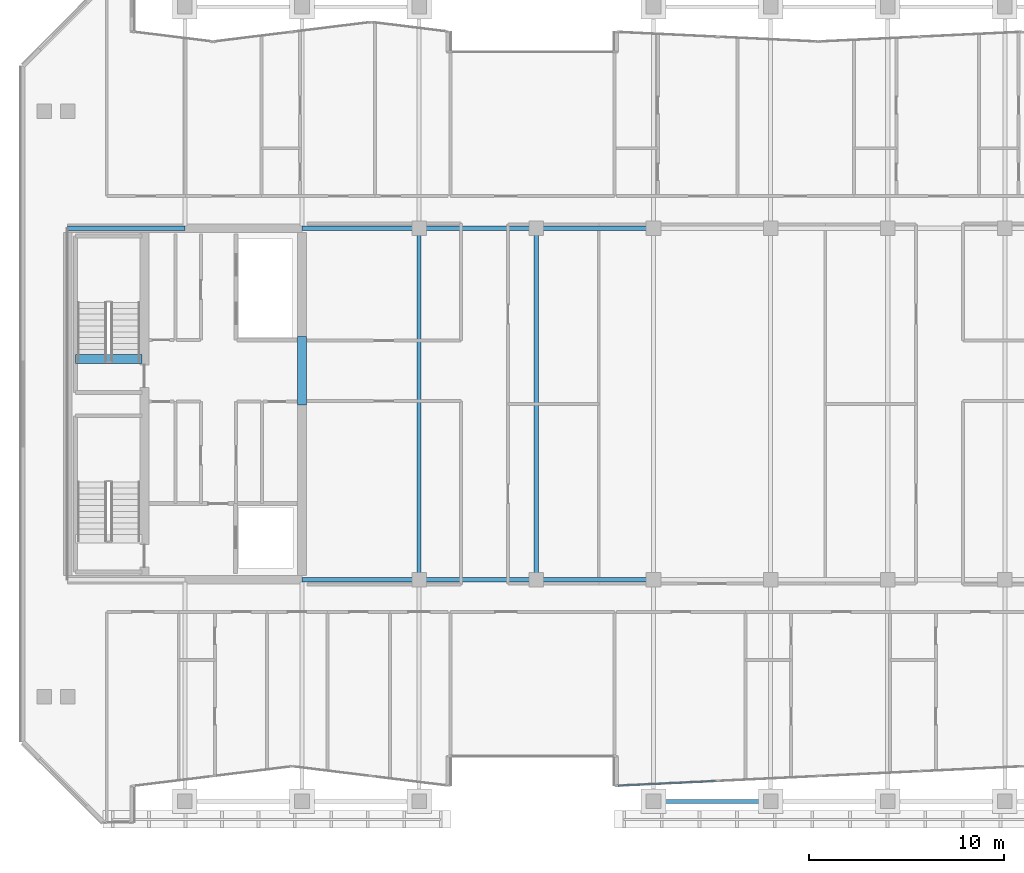
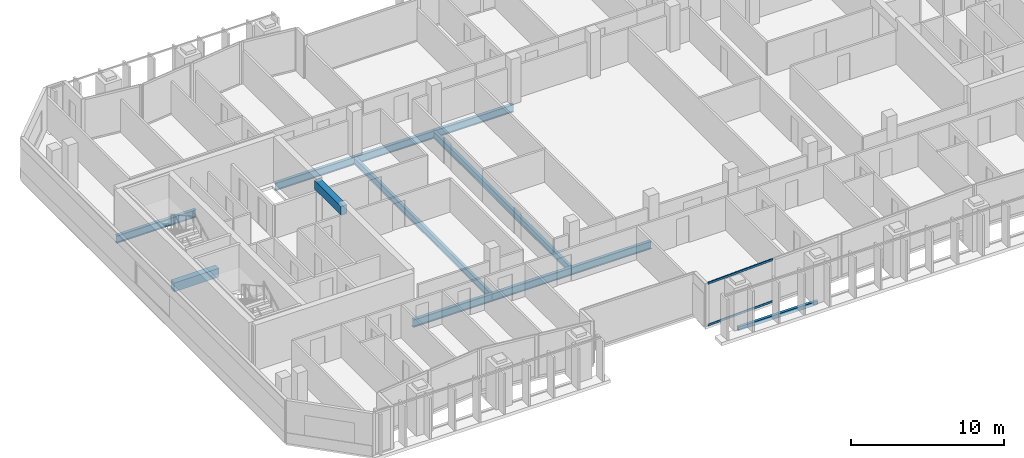
# One storey, part 5 of 32: 12 beams, 2 members, 1 element without a shape of its own.
"""IFC4 building model written with IfcOpenShell, lengths in metres."""

import ifcopenshell
import ifcopenshell.guid

model = None  # the IFC model being written
_history = None  # IfcOwnerHistory: only IFC2X3 demands one
_inside = {}  # id of a spatial element -> (the spatial element, [elements in it])
_under = {}  # id of a project, library or spatial element -> (it, [spatial elements below it])
_declared = {}  # id of a project -> (the project, [libraries it declares])
_typed = {}  # id of a type object -> (the type object, [elements of that type])
_made_of = {}  # id of a material, layer set ... -> (it, [elements and type objects made of it])


def new_model(schema):
    """Start an empty IFC model of exactly this schema.

    Asked for "IFC4X3", IfcOpenShell would pick the latest addendum, in which some entities
    have other attributes; the version numbers below select the first issue.
    IFC2X3 requires an IfcOwnerHistory on every rooted entity: one is made here for all.
    """
    global model, _history
    if schema == "IFC4X3":
        model = ifcopenshell.file(schema_version=(4, 3, 0, 0))
    else:
        model = ifcopenshell.file(schema=schema)
    _inside.clear()
    _under.clear()
    _declared.clear()
    _typed.clear()
    _made_of.clear()
    _history = None
    if model.schema == "IFC2X3":
        org = make("IfcOrganization", Name="unknown")
        user = make(
            "IfcPersonAndOrganization",
            ThePerson=make("IfcPerson", FamilyName="unknown"),
            TheOrganization=org,
        )
        app = make(
            "IfcApplication",
            ApplicationDeveloper=org,
            Version="unknown",
            ApplicationFullName="unknown",
            ApplicationIdentifier="unknown",
        )
        _history = make(
            "IfcOwnerHistory",
            OwningUser=user,
            OwningApplication=app,
            ChangeAction="ADDED",
            CreationDate=0,
        )
    return model


def make(cls, **values):
    """One entity of the class cls with the attributes given. An attribute that is None is left unset."""
    return model.create_entity(
        cls, **{name: value for name, value in values.items() if value is not None}
    )


def rooted(cls, **values):
    """An entity with a GlobalId (a new one), such as an element, a storey or a relation."""
    return make(cls, GlobalId=ifcopenshell.guid.new(), OwnerHistory=_history, **values)


def si_unit(unit_type, name, prefix=None):
    """IfcSIUnit, for example si_unit("LENGTHUNIT", "METRE", prefix="MILLI")."""
    return make("IfcSIUnit", UnitType=unit_type, Prefix=prefix, Name=name)


def assignment(units):
    """IfcUnitAssignment: the units of a project."""
    return None if units is None else make("IfcUnitAssignment", Units=units)


def point(xyz):
    """IfcCartesianPoint."""
    return None if xyz is None else make("IfcCartesianPoint", Coordinates=xyz)


def direction(xyz):
    """IfcDirection."""
    return None if xyz is None else make("IfcDirection", DirectionRatios=xyz)


def frame(location, z_axis=None, x_axis=None):
    """IfcAxis2Placement3D, a coordinate frame: its origin and axes. An axis left out is left unset."""
    return make(
        "IfcAxis2Placement3D",
        Location=point(location),
        Axis=direction(z_axis),
        RefDirection=direction(x_axis),
    )


def frame_2d(location, x_axis=None):
    """IfcAxis2Placement2D, a coordinate frame in the plane: its origin and x axis."""
    return make(
        "IfcAxis2Placement2D", Location=point(location), RefDirection=direction(x_axis)
    )


def origin():
    """The frame at (0, 0, 0) with its axes left unset."""
    return frame((0.0, 0.0, 0.0))


def origin_2d():
    """The frame at (0, 0) in the plane with its x axis left unset."""
    return frame_2d((0.0, 0.0))


def place(relative_to, where):
    """IfcLocalPlacement: puts the frame where relative to a parent placement (None: the world)."""
    return make(
        "IfcLocalPlacement", PlacementRelTo=relative_to, RelativePlacement=where
    )


def context(
    kind, dimensions, precision=None, world=None, true_north=None, identifier=None
):
    """IfcGeometricRepresentationContext, for example the 3D "Model" context."""
    return make(
        "IfcGeometricRepresentationContext",
        ContextIdentifier=identifier,
        ContextType=kind,
        CoordinateSpaceDimension=dimensions,
        Precision=precision,
        WorldCoordinateSystem=world,
        TrueNorth=true_north,
    )


def subcontext(parent, identifier, kind, view, scale=None):
    """IfcGeometricRepresentationSubContext, for example "Body" below "Model"."""
    return make(
        "IfcGeometricRepresentationSubContext",
        ContextIdentifier=identifier,
        ContextType=kind,
        ParentContext=parent,
        TargetScale=scale,
        TargetView=view,
    )


def project(units=None, contexts=None):
    """IfcProject with its units and contexts."""
    return rooted(
        "IfcProject",
        Name="project",
        RepresentationContexts=contexts,
        UnitsInContext=assignment(units),
    )


def spatial(cls, under=None, at=None, **own):
    """A site, building, storey or space (cls), placed at a placement, below another one or the project."""
    s = rooted(cls, ObjectPlacement=at, **own)
    if under is not None:
        _under.setdefault(under.id(), (under, []))[1].append(s)
    return s


def profile(cls, at=None, kind="AREA", **sizes):
    """A parametric profile (cls). Its sizes go by their IFC names, for example OverallWidth=200.0."""
    return make(cls, ProfileType=kind, Position=at, **sizes)


def rectangle(**sizes):
    """IfcRectangleProfileDef."""
    return profile("IfcRectangleProfileDef", **sizes)


def hollow_rectangle(**sizes):
    """IfcRectangleHollowProfileDef."""
    return profile("IfcRectangleHollowProfileDef", **sizes)


def i_section(**sizes):
    """IfcIShapeProfileDef."""
    return profile("IfcIShapeProfileDef", **sizes)


def extrude(swept, where, along, depth):
    """IfcExtrudedAreaSolid: the profile swept, set in the frame where, extruded along a direction by depth."""
    return make(
        "IfcExtrudedAreaSolid",
        SweptArea=swept,
        Position=where,
        ExtrudedDirection=direction(along),
        Depth=depth,
    )


def shape(context_of_items, identifier, shape_type, items):
    """IfcShapeRepresentation: the items that make up one representation, for example the "Body"."""
    return make(
        "IfcShapeRepresentation",
        ContextOfItems=context_of_items,
        RepresentationIdentifier=identifier,
        RepresentationType=shape_type,
        Items=items,
    )


def material(Name=None, Category=None):
    """IfcMaterial."""
    return make("IfcMaterial", Name=Name, Category=Category)


def layer(
    of_material, thickness, ventilated=None, Name=None, Category=None, Priority=None
):
    """IfcMaterialLayer: one layer of a wall or slab, of a material (None: an air gap)."""
    return make(
        "IfcMaterialLayer",
        Material=of_material,
        LayerThickness=thickness,
        IsVentilated=ventilated,
        Name=Name,
        Category=Category,
        Priority=Priority,
    )


def layer_set(layers, Name=None):
    """IfcMaterialLayerSet."""
    return make("IfcMaterialLayerSet", MaterialLayers=layers, LayerSetName=Name)


def material_profile(
    of_material, cross_section, Name=None, Category=None, Priority=None
):
    """IfcMaterialProfile: a cross section and its material."""
    return make(
        "IfcMaterialProfile",
        Name=Name,
        Material=of_material,
        Profile=cross_section,
        Priority=Priority,
        Category=Category,
    )


def profile_set(profiles, Name=None, composite=None):
    """IfcMaterialProfileSet."""
    return make(
        "IfcMaterialProfileSet",
        Name=Name,
        MaterialProfiles=profiles,
        CompositeProfile=composite,
    )


def made_of(thing, what):
    """Note that an element or type object is made of a material, layer set ...; save() writes the relation."""
    if what is not None:
        _made_of.setdefault(what.id(), (what, []))[1].append(thing)
    return thing


def type_object(cls, material=None, **own):
    """A type object (cls), such as IfcWallType, which elements share."""
    return made_of(rooted(cls, **own), material)


def element(
    cls,
    number,
    at=None,
    inside=None,
    cuts=None,
    type_object=None,
    material=None,
    context=None,
    identifier="Body",
    shape_type=None,
    held_by="IfcProductDefinitionShape",
    body=None,
    shapes=None,
    **own,
):
    """One element of the class cls, such as IfcWall. Its Tag is "e" and its number.

    at: its placement. inside: the storey or other place that contains it. cuts: it is an
    opening in that element (IfcRelVoidsElement). A single representation is given by context,
    identifier, shape_type and body (its items); several are given by shapes. held_by: the class
    of the entity that holds the representations. save() writes the other relations.
    """
    e = rooted(cls, Tag="e%d" % number, ObjectPlacement=at, **own)
    if body is not None:
        shapes = [shape(context, identifier, shape_type, body)]
    if shapes is not None:
        e.Representation = make(held_by, Representations=shapes)
    if inside is not None:
        _inside.setdefault(inside.id(), (inside, []))[1].append(e)
    if cuts is not None:
        rooted(
            "IfcRelVoidsElement", RelatingBuildingElement=cuts, RelatedOpeningElement=e
        )
    if type_object is not None:
        _typed.setdefault(type_object.id(), (type_object, []))[1].append(e)
    return made_of(e, material)


def aggregate(whole, parts):
    """IfcRelAggregates: a whole, such as a stair, and the parts it consists of."""
    return rooted("IfcRelAggregates", RelatingObject=whole, RelatedObjects=parts)


def save(model, path):
    """Write the relations noted so far, then the file.

    IfcRelAggregates (storeys below a building ...), IfcRelContainedInSpatialStructure (elements
    in a storey), IfcRelDefinesByType, IfcRelAssociatesMaterial and IfcRelDeclares: one each for
    every whole, place, type object, material and project.
    """
    for whole, parts in _under.values():
        aggregate(whole, parts)
    for where, things in _inside.values():
        rooted(
            "IfcRelContainedInSpatialStructure",
            RelatedElements=things,
            RelatingStructure=where,
        )
    for kind, things in _typed.values():
        rooted("IfcRelDefinesByType", RelatedObjects=things, RelatingType=kind)
    for what, things in _made_of.values():
        rooted("IfcRelAssociatesMaterial", RelatedObjects=things, RelatingMaterial=what)
    for by, libraries in _declared.values():
        rooted("IfcRelDeclares", RelatingContext=by, RelatedDefinitions=libraries)
    model.write(path)


model = new_model("IFC4")

# Units and contexts
model_context = context("Model", 3, precision=1e-05, world=origin(), true_north=direction((0.0, 1.0)))
body_context = subcontext(model_context, "Body", "Model", "MODEL_VIEW")
ifc_project = project(units=[si_unit("LENGTHUNIT", "METRE"), si_unit("AREAUNIT", "SQUARE_METRE"), si_unit("VOLUMEUNIT", "CUBIC_METRE"), si_unit("PLANEANGLEUNIT", "RADIAN"), si_unit("MASSUNIT", "GRAM", prefix="KILO")], contexts=[model_context])

# Site, building, storey
site_placement = place(None, origin())
site = spatial("IfcSite", under=ifc_project, at=site_placement, CompositionType="ELEMENT")
building_placement = place(site_placement, origin())
building = spatial("IfcBuilding", under=site, at=building_placement, Name="Tanjung Sevakor Pilgrim Tower", CompositionType="ELEMENT")
storey_placement = place(building_placement, frame((0.0, 0.0, 211.860107421875)))
storey = spatial("IfcBuildingStorey", under=building, at=storey_placement, Name="L59", CompositionType="ELEMENT", Elevation=211.860107421875)

# Beams
ifc_material_1 = material(Name="Steel S355J2", Category="steel")
ifc_material_profile_1 = material_profile(ifc_material_1, i_section(OverallWidth=0.22900390625, OverallDepth=0.6123046875, WebThickness=0.011962890625, FlangeThickness=0.01953125, FilletRadius=0.0126953125, at=origin_2d()))
ifc_profile_set_1 = profile_set([ifc_material_profile_1], Name="Steel S355J2")
beam_type_1 = type_object("IfcBeamType", Name="BM-B-G4-UB_610x229x125", PredefinedType="BEAM", material=ifc_profile_set_1)
for number, where, z_axis, x_axis, name in (
    (1, (36.0, 24.60009765625, -0.526123046875), (1.0, 0.0, 0.0), (0.0, 1.0, 0.0), "L59 Primary Floor Girder MAIN Y246-02"),
    (2, (42.0, 24.60009765625, -0.526123046875), (1.0, 0.0, 0.0), (0.0, 1.0, 0.0), "L59 Primary Floor Girder MAIN Y246-03"),
    (3, (48.0, 24.60009765625, -0.526123046875), (1.0, 0.0, 0.0), (0.0, 1.0, 0.0), "L59 Primary Floor Girder MAIN Y246-04"),
    (4, (24.0, 42.60009765625, -0.526123046875), (1.0, 0.0, 0.0), (0.0, 1.0, 0.0), "L59 Primary Floor Girder MAIN Y426-01"),
    (5, (36.0, 42.60009765625, -0.526123046875), (1.0, 0.0, 0.0), (0.0, 1.0, 0.0), "L59 Primary Floor Girder MAIN Y426-02"),
    (6, (42.0, 42.60009765625, -0.526123046875), (1.0, 0.0, 0.0), (0.0, 1.0, 0.0), "L59 Primary Floor Girder MAIN Y426-03"),
    (7, (48.0, 42.60009765625, -0.526123046875), (1.0, 0.0, 0.0), (0.0, 1.0, 0.0), "L59 Primary Floor Girder MAIN Y426-04"),
):
    element("IfcBeam", number, at=place(storey_placement, frame(where, z_axis=z_axis, x_axis=x_axis)), inside=storey, type_object=beam_type_1, Name=name, PredefinedType="BEAM", context=body_context, shape_type="SweptSolid", body=[
        extrude(i_section(OverallWidth=0.22900390625, OverallDepth=0.6123046875, WebThickness=0.011962890625, FlangeThickness=0.01953125, FilletRadius=0.0126953125, at=origin_2d()), origin(), (0.0, 0.0, 1.0), 6.0),
    ])
ifc_material_2 = material(Name="Steel S355J2", Category="steel")
ifc_material_profile_2 = material_profile(ifc_material_2, i_section(OverallWidth=0.2119140625, OverallDepth=0.54443359375, WebThickness=0.0126953125, FlangeThickness=0.021240234375, FilletRadius=0.0126953125, at=origin_2d()))
ifc_profile_set_2 = profile_set([ifc_material_profile_2], Name="Steel S355J2")
beam_type_2 = type_object("IfcBeamType", Name="BM-B-G5-UB_533x210x122", PredefinedType="BEAM", material=ifc_profile_set_2)
for number, where, z_axis, x_axis, name in (
    (8, (42.0, 24.60009765625, -0.492431640625), (0.0, 1.0, 0.0), (-1.0, 0.0, 0.0), "L59 MAIN Girder 006"),
    (9, (48.0, 24.60009765625, -0.492431640625), (0.0, 1.0, 0.0), (-1.0, 0.0, 0.0), "L59 MAIN Girder 008"),
):
    element("IfcBeam", number, at=place(storey_placement, frame(where, z_axis=z_axis, x_axis=x_axis)), inside=storey, type_object=beam_type_2, Name=name, PredefinedType="BEAM", context=body_context, shape_type="SweptSolid", body=[
        extrude(i_section(OverallWidth=0.2119140625, OverallDepth=0.54443359375, WebThickness=0.0126953125, FlangeThickness=0.021240234375, FilletRadius=0.0126953125, at=origin_2d()), origin(), (0.0, 0.0, 1.0), 18.0),
    ])
ifc_material_3 = material(Name="Concrete C60/75", Category="concrete")
ifc_material_profile_3 = material_profile(ifc_material_3, rectangle(XDim=0.449951171875, YDim=0.699951171875, at=origin_2d()))
ifc_profile_set_3 = profile_set([ifc_material_profile_3], Name="Concrete C60/75")
beam_type_3 = type_object("IfcBeamType", Name="BM-B-LN3-RC-BM_450x700", PredefinedType="LINTEL", material=ifc_profile_set_3)
beam_1_placement = place(storey_placement, frame((36.0, 33.550048828125, 3.059814453125), z_axis=(0.0, 1.0, 0.0), x_axis=(-1.0, 0.0, 0.0)))
element("IfcBeam", 10, at=beam_1_placement, inside=storey, type_object=beam_type_3, Name="L59 W Core Coupling Lintel", PredefinedType="LINTEL", context=body_context, shape_type="SweptSolid", body=[
    extrude(rectangle(XDim=0.449951171875, YDim=0.699951171875, at=origin_2d()), origin(), (0.0, 0.0, 1.0), 3.5),
])
beam_2_placement = place(storey_placement, frame((24.39990234375, 35.89990234375, -0.35009765625), z_axis=(1.0, 0.0, 0.0), x_axis=(0.0, 1.0, 0.0)))
element("IfcBeam", 11, at=beam_2_placement, inside=storey, type_object=beam_type_3, Name="L59 TS-W2 Stair Threshold Beam", PredefinedType="LINTEL", context=body_context, shape_type="SweptSolid", body=[
    extrude(rectangle(XDim=0.449951171875, YDim=0.699951171875, at=origin_2d()), origin(), (0.0, 0.0, 1.0), 3.400146484375),
])
ifc_material_4 = material(Name="Steel S355J2", Category="steel")
ifc_material_profile_4 = material_profile(ifc_material_4, hollow_rectangle(XDim=0.199951171875, YDim=0.300048828125, WallThickness=0.012451171875, at=origin_2d()))
ifc_profile_set_4 = profile_set([ifc_material_profile_4], Name="Steel S355J2")
beam_type_4 = type_object("IfcBeamType", Name="BM-B-SP3-RHS_300x200x12.5", PredefinedType="SPANDREL", material=ifc_profile_set_4)
beam_3_placement = place(storey_placement, frame((54.0, 13.25, -0.3701171875), z_axis=(1.0, 0.0, 0.0), x_axis=(0.0, 1.0, 0.0)))
element("IfcBeam", 12, at=beam_3_placement, inside=storey, type_object=beam_type_4, Name="L59 Spandrel MAIN S-05", PredefinedType="SPANDREL", context=body_context, shape_type="SweptSolid", body=[
    extrude(hollow_rectangle(XDim=0.199951171875, YDim=0.300048828125, WallThickness=0.012451171875, at=origin_2d()), origin(), (0.0, 0.0, 1.0), 6.0),
])

# Curtain wall, members
ifc_material_5 = material(Name="Aluminium 6063-T6 and Low-E Glass", Category="aluminium")
ifc_layer = layer(ifc_material_5, 0.199951171875)
ifc_layer_set = layer_set([ifc_layer], Name="CW-SYS-PRAY")
curtain_wall_type = type_object("IfcCurtainWallType", Name="CW-SYS-PRAY", PredefinedType="NOTDEFINED", material=ifc_layer_set)
curtain_wall_placement = place(storey_placement, origin())
curtain_wall = element("IfcCurtainWall", 13, at=curtain_wall_placement, inside=storey, type_object=curtain_wall_type, Name="L59 Curtain Wall CW-PRY-L59-9", PredefinedType="NOTDEFINED")
ifc_material_6 = material(Name="Aluminium 6063-T6", Category="aluminium")
ifc_material_profile_5 = material_profile(ifc_material_6, hollow_rectangle(XDim=0.074951171875, YDim=0.159912109375, WallThickness=0.00439453125, at=origin_2d()))
ifc_profile_set_5 = profile_set([ifc_material_profile_5], Name="Aluminium 6063-T6")
member_type = type_object("IfcMemberType", Name="TYPE-CWT-2", PredefinedType="USERDEFINED", material=ifc_profile_set_5)
member_1_placement = place(storey_placement, frame((52.184814453125, 14.049072265625, 0.037353515625), z_axis=(0.998858951374, 0.047757672262, 0.0), x_axis=(-0.047757672262, 0.998858951374, 0.0)))
member_1 = element("IfcMember", 14, at=member_1_placement, type_object=member_type, Name="CW-PRY transom 1.1", ObjectType="TRANSOM", PredefinedType="USERDEFINED", context=body_context, shape_type="SweptSolid", body=[
    extrude(hollow_rectangle(XDim=0.074951171875, YDim=0.159912109375, WallThickness=0.00439453125, at=origin_2d()), origin(), (0.0, 0.0, 1.0), 5.06103515625),
])
member_2_placement = place(storey_placement, frame((52.184814453125, 14.049072265625, 3.372314453125), z_axis=(0.998858951374, 0.047757672262, 0.0), x_axis=(-0.047757672262, 0.998858951374, 0.0)))
member_2 = element("IfcMember", 15, at=member_2_placement, type_object=member_type, Name="CW-PRY transom 1.2", ObjectType="TRANSOM", PredefinedType="USERDEFINED", context=body_context, shape_type="SweptSolid", body=[
    extrude(hollow_rectangle(XDim=0.074951171875, YDim=0.159912109375, WallThickness=0.00439453125, at=origin_2d()), origin(), (0.0, 0.0, 1.0), 5.06103515625),
])
aggregate(curtain_wall, [member_1, member_2])

save(model, "model.ifc")
